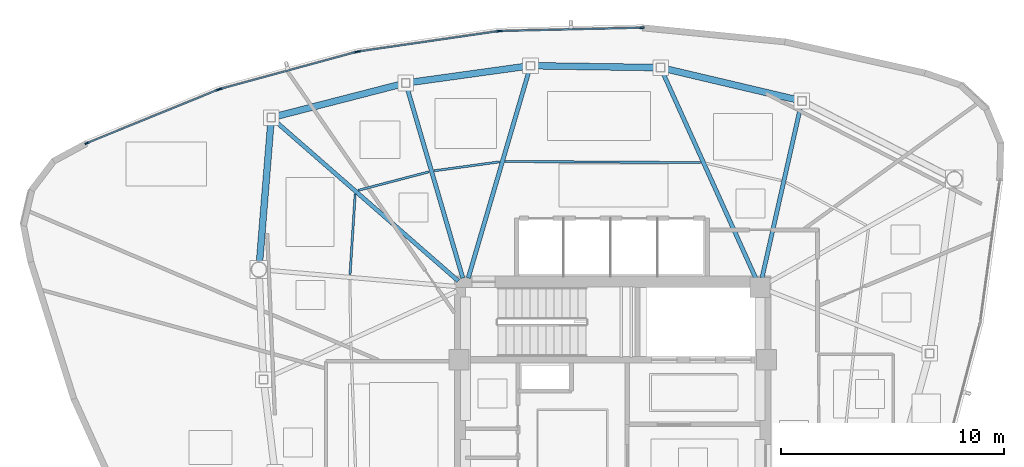
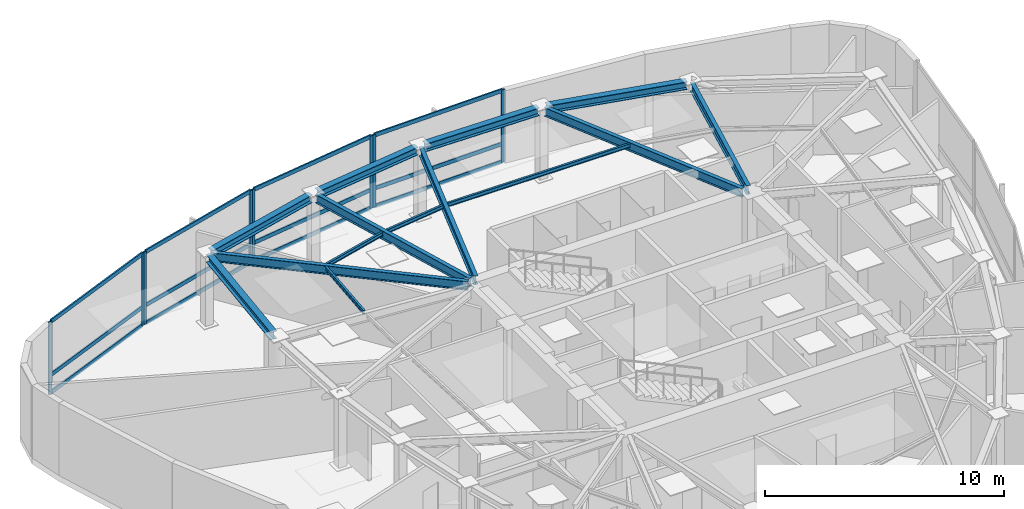
# One storey, part 5 of 12: 20 members, 14 beams, 4 elements without a shape of their own.
"""IFC4 building model written with IfcOpenShell, lengths in metres."""

from ifc_helpers import new_model, si_unit, direction, frame, origin, origin_2d, place, context, subcontext, project, spatial, hollow_rectangle, i_section, extrude, source, transform, mapped, material, layer, layer_set, material_profile, profile_set, type_object, type_shapes, element, aggregate, save


model = new_model("IFC4")

# Units and contexts
model_context = context("Model", 3, precision=1e-05, world=origin(), true_north=direction((0.0, 1.0)))
body_context = subcontext(model_context, "Body", "Model", "MODEL_VIEW")
ifc_project = project(units=[si_unit("LENGTHUNIT", "METRE"), si_unit("AREAUNIT", "SQUARE_METRE"), si_unit("VOLUMEUNIT", "CUBIC_METRE"), si_unit("PLANEANGLEUNIT", "RADIAN"), si_unit("MASSUNIT", "GRAM", prefix="KILO")], contexts=[model_context])

# Site, building, storey
site_placement = place(None, origin())
site = spatial("IfcSite", under=ifc_project, at=site_placement, CompositionType="ELEMENT")
building_placement = place(site_placement, origin())
building = spatial("IfcBuilding", under=site, at=building_placement, Name="Tavelor Broadcast Tower", CompositionType="ELEMENT")
storey_placement = place(building_placement, frame((0.0, 0.0, 317.5)))
storey = spatial("IfcBuildingStorey", under=building, at=storey_placement, Name="L76", CompositionType="ELEMENT", Elevation=317.5)

# Beams
ifc_material_1 = material(Name="Steel S355", Category="steel")
ifc_material_profile_1 = material_profile(ifc_material_1, i_section(OverallWidth=0.10009765625, OverallDepth=0.199951171875, WebThickness=0.005615234375, FlangeThickness=0.008544921875, at=origin_2d()), Name="IPE 200")
ifc_profile_set_1 = profile_set([ifc_material_profile_1], Name="Steel S355")
beam_type_1 = type_object("IfcBeamType", Name="Composite Floor Joist T8 IPE 200", PredefinedType="JOIST", material=ifc_profile_set_1)
beam_1_placement = place(storey_placement, frame((53.948486328125, 56.79248046875, 3.60009765625), z_axis=(-0.999983070215, 0.005818873004, 0.0), x_axis=(-0.005818873004, -0.999983070215, 0.0)))
element("IfcBeam", 1, at=beam_1_placement, inside=storey, type_object=beam_type_1, Name="L76 Secondary Composite Floor Joist 15", PredefinedType="JOIST", context=body_context, shape_type="SweptSolid", body=[
    extrude(i_section(OverallWidth=0.10009765625, OverallDepth=0.199951171875, WebThickness=0.005615234375, FlangeThickness=0.008544921875, at=origin_2d()), origin(), (0.0, 0.0, 1.0), 8.76904296875),
])
beam_2_placement = place(storey_placement, frame((44.933349609375, 56.827392578125, 3.60009765625), z_axis=(-0.990783480594, -0.135455138636, 0.0), x_axis=(0.135455138636, -0.990783480594, 0.0)))
element("IfcBeam", 2, at=beam_2_placement, inside=storey, type_object=beam_type_1, Name="L76 Secondary Composite Floor Joist 16", PredefinedType="JOIST", context=body_context, shape_type="SweptSolid", body=[
    extrude(i_section(OverallWidth=0.10009765625, OverallDepth=0.199951171875, WebThickness=0.005615234375, FlangeThickness=0.008544921875, at=origin_2d()), origin(), (0.0, 0.0, 1.0), 2.963134765625),
])
beam_3_placement = place(storey_placement, frame((41.755126953125, 56.3779296875, 3.60009765625), z_axis=(-0.967401296423, -0.253248359677, 0.0), x_axis=(0.253248359677, -0.967401296423, 0.0)))
element("IfcBeam", 3, at=beam_3_placement, inside=storey, type_object=beam_type_1, Name="L76 Secondary Composite Floor Joist 17", PredefinedType="JOIST", context=body_context, shape_type="SweptSolid", body=[
    extrude(i_section(OverallWidth=0.10009765625, OverallDepth=0.199951171875, WebThickness=0.005615234375, FlangeThickness=0.008544921875, at=origin_2d()), origin(), (0.0, 0.0, 1.0), 3.282470703125),
])
beam_4_placement = place(storey_placement, frame((38.451904296875, 55.391845703125, 3.60009765625), z_axis=(-0.063760012588, -0.997965260315, 0.0), x_axis=(0.997965260315, -0.063760012588, 0.0)))
element("IfcBeam", 4, at=beam_4_placement, inside=storey, type_object=beam_type_1, Name="L76 Secondary Composite Floor Joist 18", PredefinedType="JOIST", context=body_context, shape_type="SweptSolid", body=[
    extrude(i_section(OverallWidth=0.10009765625, OverallDepth=0.199951171875, WebThickness=0.005615234375, FlangeThickness=0.008544921875, at=origin_2d()), origin(), (0.0, 0.0, 1.0), 3.6298828125),
])
ifc_material_profile_2 = material_profile(ifc_material_1, i_section(OverallWidth=0.300048828125, OverallDepth=0.39990234375, WebThickness=0.013427734375, FlangeThickness=0.02392578125, at=origin_2d()), Name="HEB 400")
ifc_profile_set_2 = profile_set([ifc_material_profile_2], Name="Steel S355")
beam_type_2 = type_object("IfcBeamType", Name="Perimeter Spandrel Beam T8 HEB 400", PredefinedType="SPANDREL", material=ifc_profile_set_2)
beam_5_placement = place(storey_placement, frame((58.298583984375, 59.601318359375, 3.5), z_axis=(-0.973341352965, 0.229361310181, 0.0), x_axis=(-0.229361310181, -0.973341352965, 0.0)))
element("IfcBeam", 5, at=beam_5_placement, inside=storey, type_object=beam_type_2, Name="L76 Framed-Tube Ring Spandrel 14", PredefinedType="SPANDREL", context=body_context, shape_type="SweptSolid", body=[
    extrude(i_section(OverallWidth=0.300048828125, OverallDepth=0.39990234375, WebThickness=0.013427734375, FlangeThickness=0.02392578125, at=origin_2d()), origin(), (0.0, 0.0, 1.0), 6.1279296875),
])
beam_6_placement = place(storey_placement, frame((51.955078125, 61.0537109375, 3.5), z_axis=(-0.999889988423, 0.014832769514, 0.0), x_axis=(-0.014832769514, -0.999889988423, 0.0)))
element("IfcBeam", 6, at=beam_6_placement, inside=storey, type_object=beam_type_2, Name="L76 Framed-Tube Ring Spandrel 15", PredefinedType="SPANDREL", context=body_context, shape_type="SweptSolid", body=[
    extrude(i_section(OverallWidth=0.300048828125, OverallDepth=0.39990234375, WebThickness=0.013427734375, FlangeThickness=0.02392578125, at=origin_2d()), origin(), (0.0, 0.0, 1.0), 5.447998046875),
])
beam_7_placement = place(storey_placement, frame((46.125244140625, 61.11083984375, 3.5), z_axis=(-0.990516995132, -0.137390255677, 0.0), x_axis=(0.137390255677, -0.990516995132, 0.0)))
element("IfcBeam", 7, at=beam_7_placement, inside=storey, type_object=beam_type_2, Name="L76 Framed-Tube Ring Spandrel 16", PredefinedType="SPANDREL", context=body_context, shape_type="SweptSolid", body=[
    extrude(i_section(OverallWidth=0.300048828125, OverallDepth=0.39990234375, WebThickness=0.013427734375, FlangeThickness=0.02392578125, at=origin_2d()), origin(), (0.0, 0.0, 1.0), 5.26708984375),
])
beam_8_placement = place(storey_placement, frame((40.531982421875, 60.31298828125, 3.5), z_axis=(-0.96843501409, -0.249266169955, 0.0), x_axis=(0.249266169955, -0.96843501409, 0.0)))
element("IfcBeam", 8, at=beam_8_placement, inside=storey, type_object=beam_type_2, Name="L76 Framed-Tube Ring Spandrel 17", PredefinedType="SPANDREL", context=body_context, shape_type="SweptSolid", body=[
    extrude(i_section(OverallWidth=0.300048828125, OverallDepth=0.39990234375, WebThickness=0.013427734375, FlangeThickness=0.02392578125, at=origin_2d()), origin(), (0.0, 0.0, 1.0), 5.84130859375),
])
beam_9_placement = place(storey_placement, frame((34.673583984375, 58.61767578125, 3.5), z_axis=(-0.081080064874, -0.996707591563, 0.0), x_axis=(0.996707591563, -0.081080064874, 0.0)))
element("IfcBeam", 9, at=beam_9_placement, inside=storey, type_object=beam_type_2, Name="L76 Framed-Tube Ring Spandrel 18", PredefinedType="SPANDREL", context=body_context, shape_type="SweptSolid", body=[
    extrude(i_section(OverallWidth=0.300048828125, OverallDepth=0.39990234375, WebThickness=0.013427734375, FlangeThickness=0.02392578125, at=origin_2d()), origin(), (0.0, 0.0, 1.0), 6.30224609375),
])
ifc_material_profile_3 = material_profile(ifc_material_1, i_section(OverallWidth=0.18994140625, OverallDepth=0.449951171875, WebThickness=0.009521484375, FlangeThickness=0.0146484375, at=origin_2d()), Name="IPE 450")
ifc_profile_set_3 = profile_set([ifc_material_profile_3], Name="Steel S355")
beam_type_3 = type_object("IfcBeamType", Name="Radial Floor Girder T8 IPE 450", PredefinedType="BEAM", material=ifc_profile_set_3)
beam_10_placement = place(storey_placement, frame((56.695068359375, 51.621337890625, 3.47509765625), z_axis=(0.220095779936, 0.975478266111, 0.0), x_axis=(-0.975478266111, 0.220095779936, 0.0)))
element("IfcBeam", 10, at=beam_10_placement, inside=storey, type_object=beam_type_3, Name="L76 Radial Primary Floor Girder 14", PredefinedType="BEAM", context=body_context, shape_type="SweptSolid", body=[
    extrude(i_section(OverallWidth=0.18994140625, OverallDepth=0.449951171875, WebThickness=0.009521484375, FlangeThickness=0.0146484375, at=origin_2d()), origin(), (0.0, 0.0, 1.0), 7.943359375),
])
beam_11_placement = place(storey_placement, frame((56.422119140625, 51.59375, 3.47509765625), z_axis=(-0.411898788623, 0.911229602203, 0.0), x_axis=(-0.911229602203, -0.411898788623, 0.0)))
element("IfcBeam", 11, at=beam_11_placement, inside=storey, type_object=beam_type_3, Name="L76 Radial Primary Floor Girder 15", PredefinedType="BEAM", context=body_context, shape_type="SweptSolid", body=[
    extrude(i_section(OverallWidth=0.18994140625, OverallDepth=0.449951171875, WebThickness=0.009521484375, FlangeThickness=0.0146484375, at=origin_2d()), origin(), (0.0, 0.0, 1.0), 10.1865234375),
])
beam_12_placement = place(storey_placement, frame((43.521484375, 51.614501953125, 3.47509765625), z_axis=(0.281536086391, 0.959550640696, 0.0), x_axis=(-0.959550640696, 0.281536086391, 0.0)))
element("IfcBeam", 12, at=beam_12_placement, inside=storey, type_object=beam_type_3, Name="L76 Radial Primary Floor Girder 16", PredefinedType="BEAM", context=body_context, shape_type="SweptSolid", body=[
    extrude(i_section(OverallWidth=0.18994140625, OverallDepth=0.449951171875, WebThickness=0.009521484375, FlangeThickness=0.0146484375, at=origin_2d()), origin(), (0.0, 0.0, 1.0), 9.732177734375),
])
beam_13_placement = place(storey_placement, frame((43.278564453125, 51.614501953125, 3.47509765625), z_axis=(-0.280989740676, 0.959710771866, 0.0), x_axis=(-0.959710771866, -0.280989740676, 0.0)))
element("IfcBeam", 13, at=beam_13_placement, inside=storey, type_object=beam_type_3, Name="L76 Radial Primary Floor Girder 17", PredefinedType="BEAM", context=body_context, shape_type="SweptSolid", body=[
    extrude(i_section(OverallWidth=0.18994140625, OverallDepth=0.449951171875, WebThickness=0.009521484375, FlangeThickness=0.0146484375, at=origin_2d()), origin(), (0.0, 0.0, 1.0), 8.92138671875),
])
beam_14_placement = place(storey_placement, frame((43.07470703125, 51.484130859375, 3.47509765625), z_axis=(-0.753136193323, 0.657864632206, 0.0), x_axis=(-0.657864632206, -0.753136193323, 0.0)))
element("IfcBeam", 14, at=beam_14_placement, inside=storey, type_object=beam_type_3, Name="L76 Radial Primary Floor Girder 18", PredefinedType="BEAM", context=body_context, shape_type="SweptSolid", body=[
    extrude(i_section(OverallWidth=0.18994140625, OverallDepth=0.449951171875, WebThickness=0.009521484375, FlangeThickness=0.0146484375, at=origin_2d()), origin(), (0.0, 0.0, 1.0), 10.942138671875),
])

# Curtain wall, members
ifc_material_2 = material(Name="Architectural Anodized Aluminium", Category="aluminium")
ifc_layer = layer(ifc_material_2, 0.199951171875)
ifc_layer_set = layer_set([ifc_layer], Name="Architectural Anodized Aluminium")
curtain_wall_type = type_object("IfcCurtainWallType", Name="Tower High-Zone Triple-Glazed Curtain Wall CW04", PredefinedType="NOTDEFINED", material=ifc_layer_set)
curtain_wall_1_placement = place(storey_placement, origin())
curtain_wall_1 = element("IfcCurtainWall", 15, at=curtain_wall_1_placement, inside=storey, type_object=curtain_wall_type, Name="L76 Curtain Wall CW04 Run 849", PredefinedType="NOTDEFINED")
ifc_material_profile_4 = material_profile(ifc_material_2, hollow_rectangle(XDim=0.070068359375, YDim=0.199951171875, WallThickness=0.02197265625, at=origin_2d()), Name="RHS 70x200x22")
ifc_profile_set_4 = profile_set([ifc_material_profile_4], Name="Architectural Anodized Aluminium")
member_type_1 = type_object("IfcMemberType", Name="CW04 Extruded Aluminium Mullion 70x200", PredefinedType="MULLION", material=ifc_profile_set_4)
shared_shape_1 = source(origin(), body_context, "Body", "SweptSolid", [
    extrude(hollow_rectangle(XDim=0.070068359375, YDim=0.199951171875, WallThickness=0.02197265625, at=origin_2d()), origin(), (0.0, 0.0, 1.0), 3.699951171875),
])
type_shapes(member_type_1, [shared_shape_1])
member_1_placement = place(storey_placement, frame((51.30712890625, 62.840087890625, 0.0), z_axis=(0.0, 0.0, 1.0), x_axis=(0.023119802829, -0.999732701634, 0.0)))
member_1 = element("IfcMember", 16, at=member_1_placement, type_object=member_type_1, Name="CW04 mullion 1", PredefinedType="MULLION", context=body_context, shape_type="MappedRepresentation", body=[
    mapped(shared_shape_1, transform((0.0, 0.0, 0.0), scale=1.0)),
])
member_2_placement = place(storey_placement, frame((44.96435546875, 62.693359375, 0.0), z_axis=(0.0, 0.0, 1.0), x_axis=(0.023119802829, -0.999732701634, 0.0)))
member_2 = element("IfcMember", 17, at=member_2_placement, type_object=member_type_1, Name="CW04 mullion 2", PredefinedType="MULLION", context=body_context, shape_type="MappedRepresentation", body=[
    mapped(shared_shape_1, transform((0.0, 0.0, 0.0), scale=1.0)),
])

curtain_wall_2_placement = place(storey_placement, origin())
curtain_wall_2 = element("IfcCurtainWall", 18, at=curtain_wall_2_placement, inside=storey, type_object=curtain_wall_type, Name="L76 Curtain Wall CW04 Run 850", PredefinedType="NOTDEFINED")
member_3_placement = place(storey_placement, frame((44.86474609375, 62.68505859375, 0.0), z_axis=(0.0, 0.0, 1.0), x_axis=(0.143934559358, -0.989587208195, 0.0)))
member_3 = element("IfcMember", 19, at=member_3_placement, type_object=member_type_1, Name="CW04 mullion 1", PredefinedType="MULLION", context=body_context, shape_type="MappedRepresentation", body=[
    mapped(shared_shape_1, transform((0.0, 0.0, 0.0), scale=1.0)),
])
member_4_placement = place(storey_placement, frame((38.601318359375, 61.77392578125, 0.0), z_axis=(0.0, 0.0, 1.0), x_axis=(0.143934559358, -0.989587208195, 0.0)))
member_4 = element("IfcMember", 20, at=member_4_placement, type_object=member_type_1, Name="CW04 mullion 2", PredefinedType="MULLION", context=body_context, shape_type="MappedRepresentation", body=[
    mapped(shared_shape_1, transform((0.0, 0.0, 0.0), scale=1.0)),
])

curtain_wall_3_placement = place(storey_placement, origin())
curtain_wall_3 = element("IfcCurtainWall", 21, at=curtain_wall_3_placement, inside=storey, type_object=curtain_wall_type, Name="L76 Curtain Wall CW04 Run 851", PredefinedType="NOTDEFINED")
member_5_placement = place(storey_placement, frame((38.503662109375, 61.753662109375, 0.0), z_axis=(0.0, 0.0, 1.0), x_axis=(0.262617565541, -0.964900002212, 0.0)))
member_5 = element("IfcMember", 22, at=member_5_placement, type_object=member_type_1, Name="CW04 mullion 1", PredefinedType="MULLION", context=body_context, shape_type="MappedRepresentation", body=[
    mapped(shared_shape_1, transform((0.0, 0.0, 0.0), scale=1.0)),
])
member_6_placement = place(storey_placement, frame((32.396484375, 60.091552734375, 0.0), z_axis=(0.0, 0.0, 1.0), x_axis=(0.262617565541, -0.964900002212, 0.0)))
member_6 = element("IfcMember", 23, at=member_6_placement, type_object=member_type_1, Name="CW04 mullion 2", PredefinedType="MULLION", context=body_context, shape_type="MappedRepresentation", body=[
    mapped(shared_shape_1, transform((0.0, 0.0, 0.0), scale=1.0)),
])

curtain_wall_4_placement = place(storey_placement, origin())
curtain_wall_4 = element("IfcCurtainWall", 24, at=curtain_wall_4_placement, inside=storey, type_object=curtain_wall_type, Name="L76 Curtain Wall CW04 Run 852", PredefinedType="NOTDEFINED")
member_7_placement = place(storey_placement, frame((32.302001953125, 60.0595703125, 0.0), z_axis=(0.0, 0.0, 1.0), x_axis=(0.377448391594, -0.926030621353, 0.0)))
member_7 = element("IfcMember", 25, at=member_7_placement, type_object=member_type_1, Name="CW04 mullion 1", PredefinedType="MULLION", context=body_context, shape_type="MappedRepresentation", body=[
    mapped(shared_shape_1, transform((0.0, 0.0, 0.0), scale=1.0)),
])
member_8_placement = place(storey_placement, frame((26.42578125, 57.664306640625, 0.0), z_axis=(0.0, 0.0, 1.0), x_axis=(0.377448391594, -0.926030621353, 0.0)))
member_8 = element("IfcMember", 26, at=member_8_placement, type_object=member_type_1, Name="CW04 mullion 2", PredefinedType="MULLION", context=body_context, shape_type="MappedRepresentation", body=[
    mapped(shared_shape_1, transform((0.0, 0.0, 0.0), scale=1.0)),
])

# Member
ifc_material_profile_5 = material_profile(ifc_material_2, hollow_rectangle(XDim=0.070068359375, YDim=0.199951171875, WallThickness=0.02197265625, at=origin_2d()), Name="RHS 70x200x22")
ifc_profile_set_5 = profile_set([ifc_material_profile_5], Name="Architectural Anodized Aluminium")
member_type_2 = type_object("IfcMemberType", Name="CW04 Extruded Aluminium Transom 70x200", PredefinedType="USERDEFINED", material=ifc_profile_set_5)
shared_shape_2 = source(origin(), body_context, "Body", "SweptSolid", [
    extrude(hollow_rectangle(XDim=0.070068359375, YDim=0.199951171875, WallThickness=0.02197265625, at=origin_2d()), origin(), (0.0, 0.0, 1.0), 6.2744140625),
])
member_9_placement = place(storey_placement, frame((51.27197265625, 62.83935546875, 0.034912109375), z_axis=(-0.999732859824, -0.023112961458, 0.0), x_axis=(0.023112961458, -0.999732859824, 0.0)))
member_9 = element("IfcMember", 27, at=member_9_placement, type_object=member_type_2, Name="CW04 transom 1.1", ObjectType="TRANSOM", PredefinedType="USERDEFINED", context=body_context, shape_type="MappedRepresentation", body=[
    mapped(shared_shape_2, transform((0.0, 0.0, 0.0), scale=1.0)),
])

member_10_placement = place(storey_placement, frame((51.27197265625, 62.83935546875, 0.949951171875), z_axis=(-0.999732859824, -0.023112961458, 0.0), x_axis=(0.023112961458, -0.999732859824, 0.0)))
member_10 = element("IfcMember", 28, at=member_10_placement, type_object=member_type_2, Name="CW04 transom 1.2", ObjectType="TRANSOM", PredefinedType="USERDEFINED", context=body_context, shape_type="MappedRepresentation", body=[
    mapped(shared_shape_2, transform((0.0, 0.0, 0.0), scale=1.0)),
])

member_11_placement = place(storey_placement, frame((51.27197265625, 62.83935546875, 3.6650390625), z_axis=(-0.999732859824, -0.023112961458, 0.0), x_axis=(0.023112961458, -0.999732859824, 0.0)))
member_11 = element("IfcMember", 29, at=member_11_placement, type_object=member_type_2, Name="CW04 transom 1.3", ObjectType="TRANSOM", PredefinedType="USERDEFINED", context=body_context, shape_type="MappedRepresentation", body=[
    mapped(shared_shape_2, transform((0.0, 0.0, 0.0), scale=1.0)),
])

aggregate(curtain_wall_1, [member_1, member_2, member_9, member_10, member_11])

shared_shape_3 = source(origin(), body_context, "Body", "SweptSolid", [
    extrude(hollow_rectangle(XDim=0.070068359375, YDim=0.199951171875, WallThickness=0.02197265625, at=origin_2d()), origin(), (0.0, 0.0, 1.0), 6.259521484375),
])
member_12_placement = place(storey_placement, frame((44.830322265625, 62.679931640625, 0.034912109375), z_axis=(-0.989589065428, -0.143921789825, 0.0), x_axis=(0.143921789825, -0.989589065428, 0.0)))
member_12 = element("IfcMember", 30, at=member_12_placement, type_object=member_type_2, Name="CW04 transom 1.1", ObjectType="TRANSOM", PredefinedType="USERDEFINED", context=body_context, shape_type="MappedRepresentation", body=[
    mapped(shared_shape_3, transform((0.0, 0.0, 0.0), scale=1.0)),
])

member_13_placement = place(storey_placement, frame((44.830322265625, 62.679931640625, 0.949951171875), z_axis=(-0.989589065428, -0.143921789825, 0.0), x_axis=(0.143921789825, -0.989589065428, 0.0)))
member_13 = element("IfcMember", 31, at=member_13_placement, type_object=member_type_2, Name="CW04 transom 1.2", ObjectType="TRANSOM", PredefinedType="USERDEFINED", context=body_context, shape_type="MappedRepresentation", body=[
    mapped(shared_shape_3, transform((0.0, 0.0, 0.0), scale=1.0)),
])

member_14_placement = place(storey_placement, frame((44.830322265625, 62.679931640625, 3.6650390625), z_axis=(-0.989589065428, -0.143921789825, 0.0), x_axis=(0.143921789825, -0.989589065428, 0.0)))
member_14 = element("IfcMember", 32, at=member_14_placement, type_object=member_type_2, Name="CW04 transom 1.3", ObjectType="TRANSOM", PredefinedType="USERDEFINED", context=body_context, shape_type="MappedRepresentation", body=[
    mapped(shared_shape_3, transform((0.0, 0.0, 0.0), scale=1.0)),
])

aggregate(curtain_wall_2, [member_3, member_4, member_12, member_13, member_14])

member_15_placement = place(storey_placement, frame((38.469970703125, 61.74462890625, 0.034912109375), z_axis=(-0.964892415335, -0.262645439382, 0.0), x_axis=(0.262645439382, -0.964892415335, 0.0)))
member_15 = element("IfcMember", 33, at=member_15_placement, type_object=member_type_2, Name="CW04 transom 1.1", ObjectType="TRANSOM", PredefinedType="USERDEFINED", context=body_context, shape_type="MappedRepresentation", body=[
    mapped(shared_shape_3, transform((0.0, 0.0, 0.0), scale=1.0)),
])

member_16_placement = place(storey_placement, frame((38.469970703125, 61.74462890625, 0.949951171875), z_axis=(-0.964892415335, -0.262645439382, 0.0), x_axis=(0.262645439382, -0.964892415335, 0.0)))
member_16 = element("IfcMember", 34, at=member_16_placement, type_object=member_type_2, Name="CW04 transom 1.2", ObjectType="TRANSOM", PredefinedType="USERDEFINED", context=body_context, shape_type="MappedRepresentation", body=[
    mapped(shared_shape_3, transform((0.0, 0.0, 0.0), scale=1.0)),
])

member_17_placement = place(storey_placement, frame((38.469970703125, 61.74462890625, 3.6650390625), z_axis=(-0.964892415335, -0.262645439382, 0.0), x_axis=(0.262645439382, -0.964892415335, 0.0)))
member_17 = element("IfcMember", 35, at=member_17_placement, type_object=member_type_2, Name="CW04 transom 1.3", ObjectType="TRANSOM", PredefinedType="USERDEFINED", context=body_context, shape_type="MappedRepresentation", body=[
    mapped(shared_shape_3, transform((0.0, 0.0, 0.0), scale=1.0)),
])

aggregate(curtain_wall_3, [member_5, member_6, member_15, member_16, member_17])

shared_shape_4 = source(origin(), body_context, "Body", "SweptSolid", [
    extrude(hollow_rectangle(XDim=0.070068359375, YDim=0.199951171875, WallThickness=0.02197265625, at=origin_2d()), origin(), (0.0, 0.0, 1.0), 6.275390625),
])
type_shapes(member_type_2, [shared_shape_2, shared_shape_3, shared_shape_4])
member_18_placement = place(storey_placement, frame((32.26953125, 60.04638671875, 0.034912109375), z_axis=(-0.926031428643, -0.377446410986, 0.0), x_axis=(0.377446410986, -0.926031428643, 0.0)))
member_18 = element("IfcMember", 36, at=member_18_placement, type_object=member_type_2, Name="CW04 transom 1.1", ObjectType="TRANSOM", PredefinedType="USERDEFINED", context=body_context, shape_type="MappedRepresentation", body=[
    mapped(shared_shape_4, transform((0.0, 0.0, 0.0), scale=1.0)),
])

member_19_placement = place(storey_placement, frame((32.26953125, 60.04638671875, 0.949951171875), z_axis=(-0.926031428643, -0.377446410986, 0.0), x_axis=(0.377446410986, -0.926031428643, 0.0)))
member_19 = element("IfcMember", 37, at=member_19_placement, type_object=member_type_2, Name="CW04 transom 1.2", ObjectType="TRANSOM", PredefinedType="USERDEFINED", context=body_context, shape_type="MappedRepresentation", body=[
    mapped(shared_shape_4, transform((0.0, 0.0, 0.0), scale=1.0)),
])

member_20_placement = place(storey_placement, frame((32.26953125, 60.04638671875, 3.6650390625), z_axis=(-0.926031428643, -0.377446410986, 0.0), x_axis=(0.377446410986, -0.926031428643, 0.0)))
member_20 = element("IfcMember", 38, at=member_20_placement, type_object=member_type_2, Name="CW04 transom 1.3", ObjectType="TRANSOM", PredefinedType="USERDEFINED", context=body_context, shape_type="MappedRepresentation", body=[
    mapped(shared_shape_4, transform((0.0, 0.0, 0.0), scale=1.0)),
])

aggregate(curtain_wall_4, [member_7, member_8, member_18, member_19, member_20])

save(model, "model.ifc")
